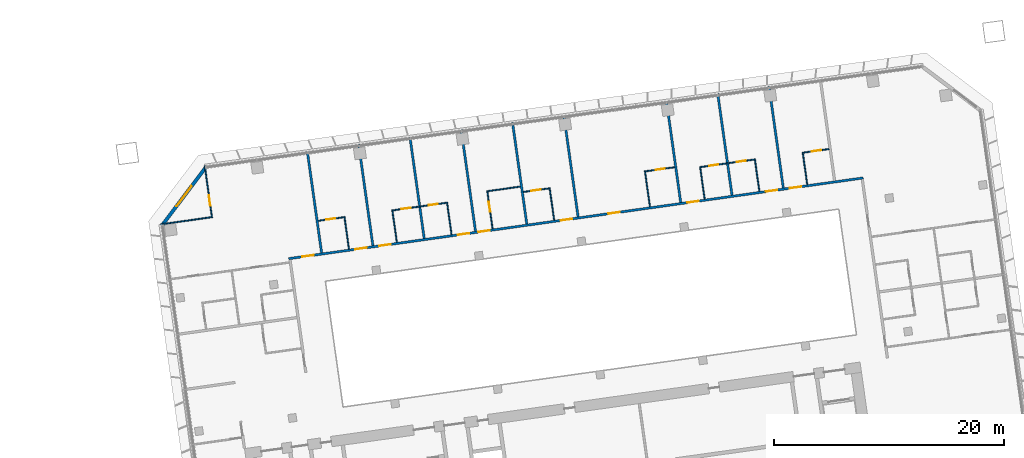
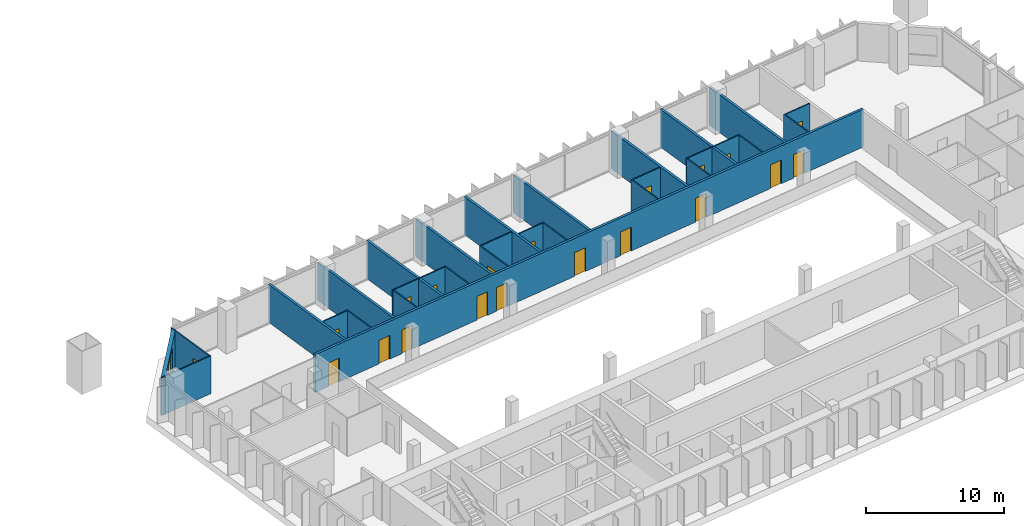
# One storey, part 20 of 24: 29 walls, 20 doors, 1 window, 21 openings.
"""IFC4 building model written with IfcOpenShell, lengths in metres."""

from ifc_helpers import new_model, si_unit, direction, frame, frame_2d, origin, place, context, subcontext, project, spatial, rectangle, extrude, material, layer, layer_set, type_object, element, fill, save


model = new_model("IFC4")

# Units and contexts
model_context = context("Model", 3, precision=1e-05, world=origin(), true_north=direction((0.0, 1.0)))
body_context = subcontext(model_context, "Body", "Model", "MODEL_VIEW")
ifc_project = project(units=[si_unit("LENGTHUNIT", "METRE"), si_unit("AREAUNIT", "SQUARE_METRE"), si_unit("VOLUMEUNIT", "CUBIC_METRE"), si_unit("PLANEANGLEUNIT", "RADIAN"), si_unit("MASSUNIT", "GRAM", prefix="KILO")], contexts=[model_context])

# Site, building, storey
site_placement = place(None, origin())
site = spatial("IfcSite", under=ifc_project, at=site_placement, CompositionType="ELEMENT")
building_placement = place(site_placement, origin())
building = spatial("IfcBuilding", under=site, at=building_placement, Name="Mirante Cascada Hotel Towers", CompositionType="ELEMENT")
storey_placement = place(building_placement, frame((0.0, 0.0, 47.1)))
storey = spatial("IfcBuildingStorey", under=building, at=storey_placement, Name="L08", CompositionType="ELEMENT", Elevation=47.1)

# Wall, openings, doors
ifc_material_1 = material(Name="Fire-rated plasterboard on metal studs")
ifc_layer_1 = layer(ifc_material_1, 0.2)
ifc_layer_set_1 = layer_set([ifc_layer_1], Name="Compartment wall 200 EI 120")
wall_type_1 = type_object("IfcWallType", Name="Compartment wall 200 EI 120", PredefinedType="PARTITIONING", material=ifc_layer_set_1)
wall_1_placement = place(storey_placement, frame((89.0146, 16.3922, 0.0), z_axis=(0.0, 0.0, 1.0), x_axis=(-0.9902681, -0.1391727, 0.0)))
wall_1 = element("IfcWall", 1, at=wall_1_placement, inside=storey, type_object=wall_type_1, Name="Wall 2-L08-18", PredefinedType="PARTITIONING", context=body_context, shape_type="SweptSolid", body=[
    extrude(rectangle(XDim=50.4, YDim=0.2, at=frame_2d((25.2, 0.0))), origin(), (0.0, 0.0, 1.0), 3.35),
])
opening_1_placement = place(wall_1_placement, frame((48.2, 0.0, 0.0)))
opening_1 = element("IfcOpeningElement", 2, at=opening_1_placement, cuts=wall_1, Name="Opening D2-L08-09", PredefinedType="OPENING", context=body_context, shape_type="SweptSolid", body=[
    extrude(rectangle(XDim=1.0, YDim=2.1, at=frame_2d((0.5, 1.05))), frame((0.0, 0.1, 0.0), z_axis=(0.0, -1.0, 0.0), x_axis=(1.0, 0.0, 0.0)), (0.0, 0.0, 1.0), 0.2),
])
opening_2_placement = place(wall_1_placement, frame((43.55, 0.0, 0.0)))
opening_2 = element("IfcOpeningElement", 3, at=opening_2_placement, cuts=wall_1, Name="Opening D2-L08-10", PredefinedType="OPENING", context=body_context, shape_type="SweptSolid", body=[
    extrude(rectangle(XDim=1.0, YDim=2.1, at=frame_2d((0.5, 1.05))), frame((0.0, 0.1, 0.0), z_axis=(0.0, -1.0, 0.0), x_axis=(1.0, 0.0, 0.0)), (0.0, 0.0, 1.0), 0.2),
])
opening_3_placement = place(wall_1_placement, frame((41.45, 0.0, 0.0)))
opening_3 = element("IfcOpeningElement", 4, at=opening_3_placement, cuts=wall_1, Name="Opening D2-L08-11", PredefinedType="OPENING", context=body_context, shape_type="SweptSolid", body=[
    extrude(rectangle(XDim=1.0, YDim=2.1, at=frame_2d((0.5, 1.05))), frame((0.0, 0.1, 0.0), z_axis=(0.0, -1.0, 0.0), x_axis=(1.0, 0.0, 0.0)), (0.0, 0.0, 1.0), 0.2),
])
opening_4_placement = place(wall_1_placement, frame((34.55, 0.0, 0.0)))
opening_4 = element("IfcOpeningElement", 5, at=opening_4_placement, cuts=wall_1, Name="Opening D2-L08-12", PredefinedType="OPENING", context=body_context, shape_type="SweptSolid", body=[
    extrude(rectangle(XDim=1.0, YDim=2.1, at=frame_2d((0.5, 1.05))), frame((0.0, 0.1, 0.0), z_axis=(0.0, -1.0, 0.0), x_axis=(1.0, 0.0, 0.0)), (0.0, 0.0, 1.0), 0.2),
])
opening_5_placement = place(wall_1_placement, frame((32.75, 0.0, 0.0)))
opening_5 = element("IfcOpeningElement", 6, at=opening_5_placement, cuts=wall_1, Name="Opening D2-L08-13", PredefinedType="OPENING", context=body_context, shape_type="SweptSolid", body=[
    extrude(rectangle(XDim=1.0, YDim=2.1, at=frame_2d((0.5, 1.05))), frame((0.0, 0.1, 0.0), z_axis=(0.0, -1.0, 0.0), x_axis=(1.0, 0.0, 0.0)), (0.0, 0.0, 1.0), 0.2),
])
opening_6_placement = place(wall_1_placement, frame((25.55, 0.0, 0.0)))
opening_6 = element("IfcOpeningElement", 7, at=opening_6_placement, cuts=wall_1, Name="Opening D2-L08-14", PredefinedType="OPENING", context=body_context, shape_type="SweptSolid", body=[
    extrude(rectangle(XDim=1.0, YDim=2.1, at=frame_2d((0.5, 1.05))), frame((0.0, 0.1, 0.0), z_axis=(0.0, -1.0, 0.0), x_axis=(1.0, 0.0, 0.0)), (0.0, 0.0, 1.0), 0.2),
])
opening_7_placement = place(wall_1_placement, frame((21.35, 0.0, 0.0)))
opening_7 = element("IfcOpeningElement", 8, at=opening_7_placement, cuts=wall_1, Name="Opening D2-L08-15", PredefinedType="OPENING", context=body_context, shape_type="SweptSolid", body=[
    extrude(rectangle(XDim=1.0, YDim=2.1, at=frame_2d((0.5, 1.05))), frame((0.0, 0.1, 0.0), z_axis=(0.0, -1.0, 0.0), x_axis=(1.0, 0.0, 0.0)), (0.0, 0.0, 1.0), 0.2),
])
opening_8_placement = place(wall_1_placement, frame((14.45, 0.0, 0.0)))
opening_8 = element("IfcOpeningElement", 9, at=opening_8_placement, cuts=wall_1, Name="Opening D2-L08-16", PredefinedType="OPENING", context=body_context, shape_type="SweptSolid", body=[
    extrude(rectangle(XDim=1.0, YDim=2.1, at=frame_2d((0.5, 1.05))), frame((0.0, 0.1, 0.0), z_axis=(0.0, -1.0, 0.0), x_axis=(1.0, 0.0, 0.0)), (0.0, 0.0, 1.0), 0.2),
])
opening_9_placement = place(wall_1_placement, frame((7.55, 0.0, 0.0)))
opening_9 = element("IfcOpeningElement", 10, at=opening_9_placement, cuts=wall_1, Name="Opening D2-L08-17", PredefinedType="OPENING", context=body_context, shape_type="SweptSolid", body=[
    extrude(rectangle(XDim=1.0, YDim=2.1, at=frame_2d((0.5, 1.05))), frame((0.0, 0.1, 0.0), z_axis=(0.0, -1.0, 0.0), x_axis=(1.0, 0.0, 0.0)), (0.0, 0.0, 1.0), 0.2),
])
opening_10_placement = place(wall_1_placement, frame((5.45, 0.0, 0.0)))
opening_10 = element("IfcOpeningElement", 11, at=opening_10_placement, cuts=wall_1, Name="Opening D2-L08-18", PredefinedType="OPENING", context=body_context, shape_type="SweptSolid", body=[
    extrude(rectangle(XDim=1.0, YDim=2.1, at=frame_2d((0.5, 1.05))), frame((0.0, 0.1, 0.0), z_axis=(0.0, -1.0, 0.0), x_axis=(1.0, 0.0, 0.0)), (0.0, 0.0, 1.0), 0.2),
])
ifc_material_2 = material(Name="Fire-rated timber door leaf", Category="wood")
door_type_1 = type_object("IfcDoorType", Name="Entrance door DG1 1000x2100 EI 60", OperationType="SINGLE_SWING_LEFT", PredefinedType="DOOR", material=ifc_material_2)
door_1_placement = place(opening_1_placement, frame((1.0, 0.0, 0.0), z_axis=(0.0, 0.0, 1.0), x_axis=(-1.0, 0.0, 0.0)))
door_1 = element("IfcDoor", 12, at=door_1_placement, inside=storey, type_object=door_type_1, Name="Door D2-L08-09", OperationType="SINGLE_SWING_RIGHT", OverallHeight=2.1, OverallWidth=1.0, PredefinedType="DOOR", context=body_context, shape_type="SweptSolid", body=[
    extrude(rectangle(XDim=1.0, YDim=2.1, at=frame_2d((0.5, 1.05))), frame((0.0, 0.025, 0.0), z_axis=(0.0, -1.0, 0.0), x_axis=(1.0, 0.0, 0.0)), (0.0, 0.0, 1.0), 0.05),
])
fill(opening_1, door_1)
door_2_placement = place(opening_2_placement, frame((1.0, 0.0, 0.0), z_axis=(0.0, 0.0, 1.0), x_axis=(-1.0, 0.0, 0.0)))
door_2 = element("IfcDoor", 13, at=door_2_placement, inside=storey, type_object=door_type_1, Name="Door D2-L08-10", OperationType="SINGLE_SWING_RIGHT", OverallHeight=2.1, OverallWidth=1.0, PredefinedType="DOOR", context=body_context, shape_type="SweptSolid", body=[
    extrude(rectangle(XDim=1.0, YDim=2.1, at=frame_2d((0.5, 1.05))), frame((0.0, 0.025, 0.0), z_axis=(0.0, -1.0, 0.0), x_axis=(1.0, 0.0, 0.0)), (0.0, 0.0, 1.0), 0.05),
])
fill(opening_2, door_2)
door_3_placement = place(opening_3_placement, frame((1.0, 0.0, 0.0), z_axis=(0.0, 0.0, 1.0), x_axis=(-1.0, 0.0, 0.0)))
door_3 = element("IfcDoor", 14, at=door_3_placement, inside=storey, type_object=door_type_1, Name="Door D2-L08-11", OperationType="SINGLE_SWING_RIGHT", OverallHeight=2.1, OverallWidth=1.0, PredefinedType="DOOR", context=body_context, shape_type="SweptSolid", body=[
    extrude(rectangle(XDim=1.0, YDim=2.1, at=frame_2d((0.5, 1.05))), frame((0.0, 0.025, 0.0), z_axis=(0.0, -1.0, 0.0), x_axis=(1.0, 0.0, 0.0)), (0.0, 0.0, 1.0), 0.05),
])
fill(opening_3, door_3)
door_4_placement = place(opening_4_placement, frame((1.0, 0.0, 0.0), z_axis=(0.0, 0.0, 1.0), x_axis=(-1.0, 0.0, 0.0)))
door_4 = element("IfcDoor", 15, at=door_4_placement, inside=storey, type_object=door_type_1, Name="Door D2-L08-12", OperationType="SINGLE_SWING_RIGHT", OverallHeight=2.1, OverallWidth=1.0, PredefinedType="DOOR", context=body_context, shape_type="SweptSolid", body=[
    extrude(rectangle(XDim=1.0, YDim=2.1, at=frame_2d((0.5, 1.05))), frame((0.0, 0.025, 0.0), z_axis=(0.0, -1.0, 0.0), x_axis=(1.0, 0.0, 0.0)), (0.0, 0.0, 1.0), 0.05),
])
fill(opening_4, door_4)
door_5_placement = place(opening_5_placement, frame((1.0, 0.0, 0.0), z_axis=(0.0, 0.0, 1.0), x_axis=(-1.0, 0.0, 0.0)))
door_5 = element("IfcDoor", 16, at=door_5_placement, inside=storey, type_object=door_type_1, Name="Door D2-L08-13", OperationType="SINGLE_SWING_RIGHT", OverallHeight=2.1, OverallWidth=1.0, PredefinedType="DOOR", context=body_context, shape_type="SweptSolid", body=[
    extrude(rectangle(XDim=1.0, YDim=2.1, at=frame_2d((0.5, 1.05))), frame((0.0, 0.025, 0.0), z_axis=(0.0, -1.0, 0.0), x_axis=(1.0, 0.0, 0.0)), (0.0, 0.0, 1.0), 0.05),
])
fill(opening_5, door_5)
door_6_placement = place(opening_6_placement, frame((1.0, 0.0, 0.0), z_axis=(0.0, 0.0, 1.0), x_axis=(-1.0, 0.0, 0.0)))
door_6 = element("IfcDoor", 17, at=door_6_placement, inside=storey, type_object=door_type_1, Name="Door D2-L08-14", OperationType="SINGLE_SWING_RIGHT", OverallHeight=2.1, OverallWidth=1.0, PredefinedType="DOOR", context=body_context, shape_type="SweptSolid", body=[
    extrude(rectangle(XDim=1.0, YDim=2.1, at=frame_2d((0.5, 1.05))), frame((0.0, 0.025, 0.0), z_axis=(0.0, -1.0, 0.0), x_axis=(1.0, 0.0, 0.0)), (0.0, 0.0, 1.0), 0.05),
])
fill(opening_6, door_6)
door_7_placement = place(opening_7_placement, frame((1.0, 0.0, 0.0), z_axis=(0.0, 0.0, 1.0), x_axis=(-1.0, 0.0, 0.0)))
door_7 = element("IfcDoor", 18, at=door_7_placement, inside=storey, type_object=door_type_1, Name="Door D2-L08-15", OperationType="SINGLE_SWING_RIGHT", OverallHeight=2.1, OverallWidth=1.0, PredefinedType="DOOR", context=body_context, shape_type="SweptSolid", body=[
    extrude(rectangle(XDim=1.0, YDim=2.1, at=frame_2d((0.5, 1.05))), frame((0.0, 0.025, 0.0), z_axis=(0.0, -1.0, 0.0), x_axis=(1.0, 0.0, 0.0)), (0.0, 0.0, 1.0), 0.05),
])
fill(opening_7, door_7)
door_8_placement = place(opening_8_placement, frame((1.0, 0.0, 0.0), z_axis=(0.0, 0.0, 1.0), x_axis=(-1.0, 0.0, 0.0)))
door_8 = element("IfcDoor", 19, at=door_8_placement, inside=storey, type_object=door_type_1, Name="Door D2-L08-16", OperationType="SINGLE_SWING_RIGHT", OverallHeight=2.1, OverallWidth=1.0, PredefinedType="DOOR", context=body_context, shape_type="SweptSolid", body=[
    extrude(rectangle(XDim=1.0, YDim=2.1, at=frame_2d((0.5, 1.05))), frame((0.0, 0.025, 0.0), z_axis=(0.0, -1.0, 0.0), x_axis=(1.0, 0.0, 0.0)), (0.0, 0.0, 1.0), 0.05),
])
fill(opening_8, door_8)
door_9_placement = place(opening_9_placement, frame((1.0, 0.0, 0.0), z_axis=(0.0, 0.0, 1.0), x_axis=(-1.0, 0.0, 0.0)))
door_9 = element("IfcDoor", 20, at=door_9_placement, inside=storey, type_object=door_type_1, Name="Door D2-L08-17", OperationType="SINGLE_SWING_RIGHT", OverallHeight=2.1, OverallWidth=1.0, PredefinedType="DOOR", context=body_context, shape_type="SweptSolid", body=[
    extrude(rectangle(XDim=1.0, YDim=2.1, at=frame_2d((0.5, 1.05))), frame((0.0, 0.025, 0.0), z_axis=(0.0, -1.0, 0.0), x_axis=(1.0, 0.0, 0.0)), (0.0, 0.0, 1.0), 0.05),
])
fill(opening_9, door_9)
door_10_placement = place(opening_10_placement, frame((1.0, 0.0, 0.0), z_axis=(0.0, 0.0, 1.0), x_axis=(-1.0, 0.0, 0.0)))
door_10 = element("IfcDoor", 21, at=door_10_placement, inside=storey, type_object=door_type_1, Name="Door D2-L08-18", OperationType="SINGLE_SWING_RIGHT", OverallHeight=2.1, OverallWidth=1.0, PredefinedType="DOOR", context=body_context, shape_type="SweptSolid", body=[
    extrude(rectangle(XDim=1.0, YDim=2.1, at=frame_2d((0.5, 1.05))), frame((0.0, 0.025, 0.0), z_axis=(0.0, -1.0, 0.0), x_axis=(1.0, 0.0, 0.0)), (0.0, 0.0, 1.0), 0.05),
])
fill(opening_10, door_10)

# Walls
for number, where, z_axis, x_axis, name in (
    (22, (41.963, 9.8805, 0.0), (0.0, 0.0, 1.0), (-0.1391794, 0.9902672, 0.0), "Wall 2-L08-35"),
    (23, (46.4192, 10.5068, 0.0), (0.0, 0.0, 1.0), (-0.1391794, 0.9902672, 0.0), "Wall 2-L08-37"),
    (24, (50.8754, 11.1331, 0.0), (0.0, 0.0, 1.0), (-0.1391794, 0.9902672, 0.0), "Wall 2-L08-39"),
    (25, (55.3316, 11.7594, 0.0), (0.0, 0.0, 1.0), (-0.1391794, 0.9902672, 0.0), "Wall 2-L08-41"),
):
    element("IfcWall", number, at=place(storey_placement, frame(where, z_axis=z_axis, x_axis=x_axis)), inside=storey, type_object=wall_type_1, Name=name, PredefinedType="PARTITIONING", context=body_context, shape_type="SweptSolid", body=[
        extrude(rectangle(XDim=8.9, YDim=0.2, at=frame_2d((4.45, 0.0))), origin(), (0.0, 0.0, 1.0), 3.35),
    ])
wall_2_placement = place(storey_placement, frame((59.7878, 12.3857, 0.0), z_axis=(0.0, 0.0, 1.0), x_axis=(-0.13917, 0.9902685, 0.0)))
element("IfcWall", 26, at=wall_2_placement, inside=storey, type_object=wall_type_1, Name="Wall 2-L08-43", PredefinedType="PARTITIONING", context=body_context, shape_type="SweptSolid", body=[
    extrude(rectangle(XDim=8.8999, YDim=0.2, at=frame_2d((4.45, 0.0))), origin(), (0.0, 0.0, 1.0), 3.35),
])
for number, where, z_axis, x_axis, name in (
    (27, (64.244, 13.0119, 0.0), (0.0, 0.0, 1.0), (-0.1391684, 0.9902687, 0.0), "Wall 2-L08-45"),
    (28, (73.1564, 14.2645, 0.0), (0.0, 0.0, 1.0), (-0.1391684, 0.9902687, 0.0), "Wall 2-L08-47"),
    (29, (77.6126, 14.8908, 0.0), (0.0, 0.0, 1.0), (-0.1391684, 0.9902687, 0.0), "Wall 2-L08-49"),
):
    element("IfcWall", number, at=place(storey_placement, frame(where, z_axis=z_axis, x_axis=x_axis)), inside=storey, type_object=wall_type_1, Name=name, PredefinedType="PARTITIONING", context=body_context, shape_type="SweptSolid", body=[
        extrude(rectangle(XDim=8.9, YDim=0.2, at=frame_2d((4.45, 0.0))), origin(), (0.0, 0.0, 1.0), 3.35),
    ])
wall_3_placement = place(storey_placement, frame((82.0688, 15.5171, 0.0), z_axis=(0.0, 0.0, 1.0), x_axis=(-0.13917, 0.9902685, 0.0)))
element("IfcWall", 30, at=wall_3_placement, inside=storey, type_object=wall_type_1, Name="Wall 2-L08-51", PredefinedType="PARTITIONING", context=body_context, shape_type="SweptSolid", body=[
    extrude(rectangle(XDim=8.8999, YDim=0.2, at=frame_2d((4.45, 0.0))), origin(), (0.0, 0.0, 1.0), 3.35),
])

# Wall, opening, door
ifc_material_3 = material(Name="Plasterboard on metal studs")
ifc_layer_2 = layer(ifc_material_3, 0.1)
ifc_layer_set_2 = layer_set([ifc_layer_2], Name="Partition 100")
wall_type_2 = type_object("IfcWallType", Name="Partition 100", PredefinedType="PARTITIONING", material=ifc_layer_set_2)
wall_4_placement = place(storey_placement, frame((41.6723, 12.6672, 0.0), z_axis=(0.0, 0.0, 1.0), x_axis=(0.9902643, 0.1391997, 0.0)))
wall_4 = element("IfcWall", 31, at=wall_4_placement, inside=storey, type_object=wall_type_2, Name="Wall 2-L08-19", PredefinedType="PARTITIONING", context=body_context, shape_type="SweptSolid", body=[
    extrude(rectangle(XDim=2.25, YDim=0.1, at=frame_2d((1.125, 0.0))), origin(), (0.0, 0.0, 1.0), 3.35),
])
opening_11_placement = place(wall_4_placement, frame((0.7, 0.0, 0.0)))
opening_11 = element("IfcOpeningElement", 32, at=opening_11_placement, cuts=wall_4, Name="Opening D2-L08-19", PredefinedType="OPENING", context=body_context, shape_type="SweptSolid", body=[
    extrude(rectangle(XDim=0.8, YDim=2.1, at=frame_2d((0.4, 1.05))), frame((0.0, 0.05, 0.0), z_axis=(0.0, -1.0, 0.0), x_axis=(1.0, 0.0, 0.0)), (0.0, 0.0, 1.0), 0.1),
])
ifc_material_4 = material(Name="Timber door leaf", Category="wood")
door_type_2 = type_object("IfcDoorType", Name="Bathroom door DG4 800x2100", OperationType="SINGLE_SWING_LEFT", PredefinedType="DOOR", material=ifc_material_4)
door_11_placement = place(opening_11_placement, origin())
door_11 = element("IfcDoor", 33, at=door_11_placement, inside=storey, type_object=door_type_2, Name="Door D2-L08-19", OperationType="SINGLE_SWING_LEFT", OverallHeight=2.1, OverallWidth=0.8, PredefinedType="DOOR", context=body_context, shape_type="SweptSolid", body=[
    extrude(rectangle(XDim=0.8, YDim=2.1, at=frame_2d((0.4, 1.05))), frame((0.0, 0.025, 0.0), z_axis=(0.0, -1.0, 0.0), x_axis=(1.0, 0.0, 0.0)), (0.0, 0.0, 1.0), 0.05),
])
fill(opening_11, door_11)

# Wall, openings, doors
wall_5_placement = place(storey_placement, frame((52.9119, 14.2468, 0.0), z_axis=(0.0, 0.0, 1.0), x_axis=(-0.9902698, -0.139161, 0.0)))
wall_5 = element("IfcWall", 34, at=wall_5_placement, inside=storey, type_object=wall_type_2, Name="Wall 2-L08-20", PredefinedType="PARTITIONING", context=body_context, shape_type="SweptSolid", body=[
    extrude(rectangle(XDim=4.9001, YDim=0.1, at=frame_2d((2.45, 0.0))), origin(), (0.0, 0.0, 1.0), 3.35),
])
opening_12_placement = place(wall_5_placement, frame((3.25, 0.0, 0.0)))
opening_12 = element("IfcOpeningElement", 35, at=opening_12_placement, cuts=wall_5, Name="Opening D2-L08-20", PredefinedType="OPENING", context=body_context, shape_type="SweptSolid", body=[
    extrude(rectangle(XDim=0.8, YDim=2.1, at=frame_2d((0.4, 1.05))), frame((0.0, 0.05, 0.0), z_axis=(0.0, -1.0, 0.0), x_axis=(1.0, 0.0, 0.0)), (0.0, 0.0, 1.0), 0.1),
])
opening_13_placement = place(wall_5_placement, frame((0.85, 0.0, 0.0)))
opening_13 = element("IfcOpeningElement", 36, at=opening_13_placement, cuts=wall_5, Name="Opening D2-L08-21", PredefinedType="OPENING", context=body_context, shape_type="SweptSolid", body=[
    extrude(rectangle(XDim=0.8, YDim=2.1, at=frame_2d((0.4, 1.05))), frame((0.0, 0.05, 0.0), z_axis=(0.0, -1.0, 0.0), x_axis=(1.0, 0.0, 0.0)), (0.0, 0.0, 1.0), 0.1),
])
door_12_placement = place(opening_12_placement, frame((0.8, 0.0, 0.0), z_axis=(0.0, 0.0, 1.0), x_axis=(-1.0, 0.0, 0.0)))
door_12 = element("IfcDoor", 37, at=door_12_placement, inside=storey, type_object=door_type_2, Name="Door D2-L08-20", OperationType="SINGLE_SWING_RIGHT", OverallHeight=2.1, OverallWidth=0.8, PredefinedType="DOOR", context=body_context, shape_type="SweptSolid", body=[
    extrude(rectangle(XDim=0.8, YDim=2.1, at=frame_2d((0.4, 1.05))), frame((0.0, 0.025, 0.0), z_axis=(0.0, -1.0, 0.0), x_axis=(1.0, 0.0, 0.0)), (0.0, 0.0, 1.0), 0.05),
])
fill(opening_12, door_12)
door_13_placement = place(opening_13_placement, frame((0.8, 0.0, 0.0), z_axis=(0.0, 0.0, 1.0), x_axis=(-1.0, 0.0, 0.0)))
door_13 = element("IfcDoor", 38, at=door_13_placement, inside=storey, type_object=door_type_2, Name="Door D2-L08-21", OperationType="SINGLE_SWING_RIGHT", OverallHeight=2.1, OverallWidth=0.8, PredefinedType="DOOR", context=body_context, shape_type="SweptSolid", body=[
    extrude(rectangle(XDim=0.8, YDim=2.1, at=frame_2d((0.4, 1.05))), frame((0.0, 0.025, 0.0), z_axis=(0.0, -1.0, 0.0), x_axis=(1.0, 0.0, 0.0)), (0.0, 0.0, 1.0), 0.05),
])
fill(opening_13, door_13)

# Wall, opening, door
wall_6_placement = place(storey_placement, frame((59.4971, 15.1723, 0.0), z_axis=(0.0, 0.0, 1.0), x_axis=(0.9902643, 0.1391997, 0.0)))
wall_6 = element("IfcWall", 39, at=wall_6_placement, inside=storey, type_object=wall_type_2, Name="Wall 2-L08-21", PredefinedType="PARTITIONING", context=body_context, shape_type="SweptSolid", body=[
    extrude(rectangle(XDim=2.25, YDim=0.1, at=frame_2d((1.125, 0.0))), origin(), (0.0, 0.0, 1.0), 3.35),
])
opening_14_placement = place(wall_6_placement, frame((0.7, 0.0, 0.0)))
opening_14 = element("IfcOpeningElement", 40, at=opening_14_placement, cuts=wall_6, Name="Opening D2-L08-22", PredefinedType="OPENING", context=body_context, shape_type="SweptSolid", body=[
    extrude(rectangle(XDim=0.8, YDim=2.1, at=frame_2d((0.4, 1.05))), frame((0.0, 0.05, 0.0), z_axis=(0.0, -1.0, 0.0), x_axis=(1.0, 0.0, 0.0)), (0.0, 0.0, 1.0), 0.1),
])
door_14_placement = place(opening_14_placement, origin())
door_14 = element("IfcDoor", 41, at=door_14_placement, inside=storey, type_object=door_type_2, Name="Door D2-L08-22", OperationType="SINGLE_SWING_LEFT", OverallHeight=2.1, OverallWidth=0.8, PredefinedType="DOOR", context=body_context, shape_type="SweptSolid", body=[
    extrude(rectangle(XDim=0.8, YDim=2.1, at=frame_2d((0.4, 1.05))), frame((0.0, 0.025, 0.0), z_axis=(0.0, -1.0, 0.0), x_axis=(1.0, 0.0, 0.0)), (0.0, 0.0, 1.0), 0.05),
])
fill(opening_14, door_14)

# Wall, openings, doors
wall_7_placement = place(storey_placement, frame((79.6491, 18.0045, 0.0), z_axis=(0.0, 0.0, 1.0), x_axis=(-0.9902694, -0.1391638, 0.0)))
wall_7 = element("IfcWall", 42, at=wall_7_placement, inside=storey, type_object=wall_type_2, Name="Wall 2-L08-22", PredefinedType="PARTITIONING", context=body_context, shape_type="SweptSolid", body=[
    extrude(rectangle(XDim=4.9, YDim=0.1, at=frame_2d((2.45, 0.0))), origin(), (0.0, 0.0, 1.0), 3.35),
])
opening_15_placement = place(wall_7_placement, frame((3.25, 0.0, 0.0)))
opening_15 = element("IfcOpeningElement", 43, at=opening_15_placement, cuts=wall_7, Name="Opening D2-L08-23", PredefinedType="OPENING", context=body_context, shape_type="SweptSolid", body=[
    extrude(rectangle(XDim=0.8, YDim=2.1, at=frame_2d((0.4, 1.05))), frame((0.0, 0.05, 0.0), z_axis=(0.0, -1.0, 0.0), x_axis=(1.0, 0.0, 0.0)), (0.0, 0.0, 1.0), 0.1),
])
opening_16_placement = place(wall_7_placement, frame((0.85, 0.0, 0.0)))
opening_16 = element("IfcOpeningElement", 44, at=opening_16_placement, cuts=wall_7, Name="Opening D2-L08-24", PredefinedType="OPENING", context=body_context, shape_type="SweptSolid", body=[
    extrude(rectangle(XDim=0.8, YDim=2.1, at=frame_2d((0.4, 1.05))), frame((0.0, 0.05, 0.0), z_axis=(0.0, -1.0, 0.0), x_axis=(1.0, 0.0, 0.0)), (0.0, 0.0, 1.0), 0.1),
])
door_15_placement = place(opening_15_placement, frame((0.8, 0.0, 0.0), z_axis=(0.0, 0.0, 1.0), x_axis=(-1.0, 0.0, 0.0)))
door_15 = element("IfcDoor", 45, at=door_15_placement, inside=storey, type_object=door_type_2, Name="Door D2-L08-23", OperationType="SINGLE_SWING_RIGHT", OverallHeight=2.1, OverallWidth=0.8, PredefinedType="DOOR", context=body_context, shape_type="SweptSolid", body=[
    extrude(rectangle(XDim=0.8, YDim=2.1, at=frame_2d((0.4, 1.05))), frame((0.0, 0.025, 0.0), z_axis=(0.0, -1.0, 0.0), x_axis=(1.0, 0.0, 0.0)), (0.0, 0.0, 1.0), 0.05),
])
fill(opening_15, door_15)
door_16_placement = place(opening_16_placement, frame((0.8, 0.0, 0.0), z_axis=(0.0, 0.0, 1.0), x_axis=(-1.0, 0.0, 0.0)))
door_16 = element("IfcDoor", 46, at=door_16_placement, inside=storey, type_object=door_type_2, Name="Door D2-L08-24", OperationType="SINGLE_SWING_RIGHT", OverallHeight=2.1, OverallWidth=0.8, PredefinedType="DOOR", context=body_context, shape_type="SweptSolid", body=[
    extrude(rectangle(XDim=0.8, YDim=2.1, at=frame_2d((0.4, 1.05))), frame((0.0, 0.025, 0.0), z_axis=(0.0, -1.0, 0.0), x_axis=(1.0, 0.0, 0.0)), (0.0, 0.0, 1.0), 0.05),
])
fill(opening_16, door_16)

# Wall, opening, door
wall_8_placement = place(storey_placement, frame((83.8082, 18.589, 0.0), z_axis=(0.0, 0.0, 1.0), x_axis=(0.9902643, 0.1391997, 0.0)))
wall_8 = element("IfcWall", 47, at=wall_8_placement, inside=storey, type_object=wall_type_2, Name="Wall 2-L08-23", PredefinedType="PARTITIONING", context=body_context, shape_type="SweptSolid", body=[
    extrude(rectangle(XDim=2.25, YDim=0.1, at=frame_2d((1.125, 0.0))), origin(), (0.0, 0.0, 1.0), 3.35),
])
opening_17_placement = place(wall_8_placement, frame((0.75, 0.0, 0.0)))
opening_17 = element("IfcOpeningElement", 48, at=opening_17_placement, cuts=wall_8, Name="Opening D2-L08-25", PredefinedType="OPENING", context=body_context, shape_type="SweptSolid", body=[
    extrude(rectangle(XDim=0.8, YDim=2.1, at=frame_2d((0.4, 1.05))), frame((0.0, 0.05, 0.0), z_axis=(0.0, -1.0, 0.0), x_axis=(1.0, 0.0, 0.0)), (0.0, 0.0, 1.0), 0.1),
])
door_17_placement = place(opening_17_placement, origin())
door_17 = element("IfcDoor", 49, at=door_17_placement, inside=storey, type_object=door_type_2, Name="Door D2-L08-25", OperationType="SINGLE_SWING_LEFT", OverallHeight=2.1, OverallWidth=0.8, PredefinedType="DOOR", context=body_context, shape_type="SweptSolid", body=[
    extrude(rectangle(XDim=0.8, YDim=2.1, at=frame_2d((0.4, 1.05))), frame((0.0, 0.025, 0.0), z_axis=(0.0, -1.0, 0.0), x_axis=(1.0, 0.0, 0.0)), (0.0, 0.0, 1.0), 0.05),
])
fill(opening_17, door_17)

wall_9_placement = place(storey_placement, frame((72.626, 17.3204, 0.0), z_axis=(0.0, 0.0, 1.0), x_axis=(-0.9902677, -0.1391755, 0.0)))
wall_9 = element("IfcWall", 50, at=wall_9_placement, inside=storey, type_object=wall_type_2, Name="Wall 2-L08-24", PredefinedType="PARTITIONING", context=body_context, shape_type="SweptSolid", body=[
    extrude(rectangle(XDim=2.55, YDim=0.1, at=frame_2d((1.275, 0.0))), origin(), (0.0, 0.0, 1.0), 3.35),
])
opening_18_placement = place(wall_9_placement, frame((0.85, 0.0, 0.0)))
opening_18 = element("IfcOpeningElement", 51, at=opening_18_placement, cuts=wall_9, Name="Opening D2-L08-26", PredefinedType="OPENING", context=body_context, shape_type="SweptSolid", body=[
    extrude(rectangle(XDim=0.8, YDim=2.1, at=frame_2d((0.4, 1.05))), frame((0.0, 0.05, 0.0), z_axis=(0.0, -1.0, 0.0), x_axis=(1.0, 0.0, 0.0)), (0.0, 0.0, 1.0), 0.1),
])
door_18_placement = place(opening_18_placement, frame((0.8, 0.0, 0.0), z_axis=(0.0, 0.0, 1.0), x_axis=(-1.0, 0.0, 0.0)))
door_18 = element("IfcDoor", 52, at=door_18_placement, inside=storey, type_object=door_type_2, Name="Door D2-L08-26", OperationType="SINGLE_SWING_RIGHT", OverallHeight=2.1, OverallWidth=0.8, PredefinedType="DOOR", context=body_context, shape_type="SweptSolid", body=[
    extrude(rectangle(XDim=0.8, YDim=2.1, at=frame_2d((0.4, 1.05))), frame((0.0, 0.025, 0.0), z_axis=(0.0, -1.0, 0.0), x_axis=(1.0, 0.0, 0.0)), (0.0, 0.0, 1.0), 0.05),
])
fill(opening_18, door_18)

# Walls
wall_10_placement = place(storey_placement, frame((56.4072, 15.243, 0.0), z_axis=(0.0, 0.0, 1.0), x_axis=(0.9902704, 0.1391564, 0.0)))
element("IfcWall", 53, at=wall_10_placement, inside=storey, type_object=wall_type_2, Name="Wall 2-L08-25", PredefinedType="PARTITIONING", context=body_context, shape_type="SweptSolid", body=[
    extrude(rectangle(XDim=2.85, YDim=0.1, at=frame_2d((1.425, 0.0))), origin(), (0.0, 0.0, 1.0), 3.35),
])
wall_11_placement = place(storey_placement, frame((32.4877, 12.9921, 0.0), z_axis=(0.0, 0.0, 1.0), x_axis=(-0.9902691, -0.1391656, 0.0)))
element("IfcWall", 54, at=wall_11_placement, inside=storey, type_object=wall_type_2, Name="Wall 2-L08-26", PredefinedType="PARTITIONING", context=body_context, shape_type="SweptSolid", body=[
    extrude(rectangle(XDim=4.55, YDim=0.1, at=frame_2d((2.275, 0.0))), origin(), (0.0, 0.0, 1.0), 3.35),
])

# Wall, opening, door
wall_12_placement = place(storey_placement, frame((31.8119, 17.4414, 0.0), z_axis=(0.0, 0.0, 1.0), x_axis=(0.1391684, -0.9902687, 0.0)))
wall_12 = element("IfcWall", 55, at=wall_12_placement, inside=storey, type_object=wall_type_2, Name="Wall 2-L08-30", PredefinedType="PARTITIONING", context=body_context, shape_type="SweptSolid", body=[
    extrude(rectangle(XDim=4.45, YDim=0.1, at=frame_2d((2.225, 0.0))), origin(), (0.0, 0.0, 1.0), 3.35),
])
opening_19_placement = place(wall_12_placement, frame((2.5833, 0.0, 0.0)))
opening_19 = element("IfcOpeningElement", 56, at=opening_19_placement, cuts=wall_12, Name="Opening D2-L08-30", PredefinedType="OPENING", context=body_context, shape_type="SweptSolid", body=[
    extrude(rectangle(XDim=0.9, YDim=2.1, at=frame_2d((0.45, 1.05))), frame((0.0, 0.05, 0.0), z_axis=(0.0, -1.0, 0.0), x_axis=(1.0, 0.0, 0.0)), (0.0, 0.0, 1.0), 0.1),
])
ifc_material_5 = material(Name="Timber door leaf", Category="wood")
door_type_3 = type_object("IfcDoorType", Name="Room door DG3 900x2100", OperationType="SINGLE_SWING_LEFT", PredefinedType="DOOR", material=ifc_material_5)
door_19_placement = place(opening_19_placement, origin())
door_19 = element("IfcDoor", 57, at=door_19_placement, inside=storey, type_object=door_type_3, Name="Door D2-L08-30", OperationType="SINGLE_SWING_LEFT", OverallHeight=2.1, OverallWidth=0.9, PredefinedType="DOOR", context=body_context, shape_type="SweptSolid", body=[
    extrude(rectangle(XDim=0.9, YDim=2.1, at=frame_2d((0.45, 1.05))), frame((0.0, 0.025, 0.0), z_axis=(0.0, -1.0, 0.0), x_axis=(1.0, 0.0, 0.0)), (0.0, 0.0, 1.0), 0.05),
])
fill(opening_19, door_19)

# Walls
wall_13_placement = place(storey_placement, frame((43.943, 13.0368, 0.0), z_axis=(0.0, 0.0, 1.0), x_axis=(0.1391613, -0.9902697, 0.0)))
element("IfcWall", 58, at=wall_13_placement, inside=storey, type_object=wall_type_2, Name="Wall 2-L08-36", PredefinedType="PARTITIONING", context=body_context, shape_type="SweptSolid", body=[
    extrude(rectangle(XDim=2.8499, YDim=0.1, at=frame_2d((1.425, 0.0))), origin(), (0.0, 0.0, 1.0), 3.35),
])
wall_14_placement = place(storey_placement, frame((48.116, 13.5223, 0.0), z_axis=(0.0, 0.0, 1.0), x_axis=(0.1391657, -0.9902691, 0.0)))
element("IfcWall", 59, at=wall_14_placement, inside=storey, type_object=wall_type_2, Name="Wall 2-L08-38", PredefinedType="PARTITIONING", context=body_context, shape_type="SweptSolid", body=[
    extrude(rectangle(XDim=2.75, YDim=0.1, at=frame_2d((1.375, 0.0))), origin(), (0.0, 0.0, 1.0), 3.35),
])
wall_15_placement = place(storey_placement, frame((52.8693, 14.1904, 0.0), z_axis=(0.0, 0.0, 1.0), x_axis=(0.1391607, -0.9902698, 0.0)))
element("IfcWall", 60, at=wall_15_placement, inside=storey, type_object=wall_type_2, Name="Wall 2-L08-40", PredefinedType="PARTITIONING", context=body_context, shape_type="SweptSolid", body=[
    extrude(rectangle(XDim=2.7501, YDim=0.1, at=frame_2d((1.3751, 0.0))), origin(), (0.0, 0.0, 1.0), 3.35),
])

# Wall, opening, door
wall_16_placement = place(storey_placement, frame((56.3508, 15.2855, 0.0), z_axis=(0.0, 0.0, 1.0), x_axis=(0.1391643, -0.9902693, 0.0)))
wall_16 = element("IfcWall", 61, at=wall_16_placement, inside=storey, type_object=wall_type_2, Name="Wall 2-L08-42", PredefinedType="PARTITIONING", context=body_context, shape_type="SweptSolid", body=[
    extrude(rectangle(XDim=3.35, YDim=0.1, at=frame_2d((1.675, 0.0))), origin(), (0.0, 0.0, 1.0), 3.35),
])
opening_20_placement = place(wall_16_placement, frame((0.96, 0.0, 0.0)))
opening_20 = element("IfcOpeningElement", 62, at=opening_20_placement, cuts=wall_16, Name="Opening D2-L08-34", PredefinedType="OPENING", context=body_context, shape_type="SweptSolid", body=[
    extrude(rectangle(XDim=0.9, YDim=2.1, at=frame_2d((0.45, 1.05))), frame((0.0, 0.05, 0.0), z_axis=(0.0, -1.0, 0.0), x_axis=(1.0, 0.0, 0.0)), (0.0, 0.0, 1.0), 0.1),
])
door_20_placement = place(opening_20_placement, origin())
door_20 = element("IfcDoor", 63, at=door_20_placement, inside=storey, type_object=door_type_3, Name="Door D2-L08-34", OperationType="SINGLE_SWING_LEFT", OverallHeight=2.1, OverallWidth=0.9, PredefinedType="DOOR", context=body_context, shape_type="SweptSolid", body=[
    extrude(rectangle(XDim=0.9, YDim=2.1, at=frame_2d((0.45, 1.05))), frame((0.0, 0.025, 0.0), z_axis=(0.0, -1.0, 0.0), x_axis=(1.0, 0.0, 0.0)), (0.0, 0.0, 1.0), 0.05),
])
fill(opening_20, door_20)

# Walls
wall_17_placement = place(storey_placement, frame((61.7678, 15.5419, 0.0), z_axis=(0.0, 0.0, 1.0), x_axis=(0.1391613, -0.9902697, 0.0)))
element("IfcWall", 64, at=wall_17_placement, inside=storey, type_object=wall_type_2, Name="Wall 2-L08-44", PredefinedType="PARTITIONING", context=body_context, shape_type="SweptSolid", body=[
    extrude(rectangle(XDim=2.8499, YDim=0.1, at=frame_2d((1.425, 0.0))), origin(), (0.0, 0.0, 1.0), 3.35),
])
wall_18_placement = place(storey_placement, frame((70.0443, 17.0081, 0.0), z_axis=(0.0, 0.0, 1.0), x_axis=(0.1391721, -0.9902682, 0.0)))
element("IfcWall", 65, at=wall_18_placement, inside=storey, type_object=wall_type_2, Name="Wall 2-L08-46", PredefinedType="PARTITIONING", context=body_context, shape_type="SweptSolid", body=[
    extrude(rectangle(XDim=3.1501, YDim=0.1, at=frame_2d((1.575, 0.0))), origin(), (0.0, 0.0, 1.0), 3.35),
])
for number, where, z_axis, x_axis, name in (
    (66, (74.8533, 17.28, 0.0), (0.0, 0.0, 1.0), (0.1391657, -0.9902691, 0.0), "Wall 2-L08-48"),
    (67, (79.6065, 17.948, 0.0), (0.0, 0.0, 1.0), (0.1392013, -0.9902641, 0.0), "Wall 2-L08-50"),
):
    element("IfcWall", number, at=place(storey_placement, frame(where, z_axis=z_axis, x_axis=x_axis)), inside=storey, type_object=wall_type_2, Name=name, PredefinedType="PARTITIONING", context=body_context, shape_type="SweptSolid", body=[
        extrude(rectangle(XDim=2.75, YDim=0.1, at=frame_2d((1.375, 0.0))), origin(), (0.0, 0.0, 1.0), 3.35),
    ])
wall_19_placement = place(storey_placement, frame((83.7517, 18.6316, 0.0), z_axis=(0.0, 0.0, 1.0), x_axis=(0.1391909, -0.9902656, 0.0)))
element("IfcWall", 68, at=wall_19_placement, inside=storey, type_object=wall_type_2, Name="Wall 2-L08-52", PredefinedType="PARTITIONING", context=body_context, shape_type="SweptSolid", body=[
    extrude(rectangle(XDim=2.85, YDim=0.1, at=frame_2d((1.425, 0.0))), origin(), (0.0, 0.0, 1.0), 3.35),
])

# Wall, opening, window
ifc_material_6 = material(Name="Precast concrete C40/50", Category="concrete")
ifc_layer_3 = layer(ifc_material_6, 0.3)
ifc_layer_set_3 = layer_set([ifc_layer_3], Name="Precast concrete C40/50 cladding wall 300")
wall_type_3 = type_object("IfcWallType", Name="Precast concrete C40/50 cladding wall 300", PredefinedType="STANDARD", material=ifc_layer_set_3)
wall_20_placement = place(storey_placement, frame((31.857, 17.252, 0.0), z_axis=(0.0, 0.0, 1.0), x_axis=(-0.6018141, -0.7986362, 0.0)))
wall_20 = element("IfcWall", 69, at=wall_20_placement, inside=storey, type_object=wall_type_3, Name="Corner cladding wall T2 L08 front inner", PredefinedType="STANDARD", context=body_context, shape_type="SweptSolid", body=[
    extrude(rectangle(XDim=6.1157, YDim=0.3, at=frame_2d((3.0578, 0.0))), origin(), (0.0, 0.0, 1.0), 3.35),
])
opening_21_placement = place(wall_20_placement, frame((1.9578, 0.0, 0.6)))
opening_21 = element("IfcOpeningElement", 70, at=opening_21_placement, cuts=wall_20, Name="Opening W2-08-04", PredefinedType="OPENING", context=body_context, shape_type="SweptSolid", body=[
    extrude(rectangle(XDim=2.2, YDim=2.4, at=frame_2d((1.1, 1.2))), frame((0.0, 0.15, 0.0), z_axis=(0.0, -1.0, 0.0), x_axis=(1.0, 0.0, 0.0)), (0.0, 0.0, 1.0), 0.3),
])
ifc_material_7 = material(Name="Aluminium frame with clear double glazing", Category="aluminium")
window_type = type_object("IfcWindowType", Name="Corner suite window 2200x2400", PartitioningType="DOUBLE_PANEL_VERTICAL", PredefinedType="WINDOW", material=ifc_material_7)
window_placement = place(opening_21_placement, origin())
window = element("IfcWindow", 71, at=window_placement, inside=storey, type_object=window_type, Name="Window W2-08-04", OverallHeight=2.4, OverallWidth=2.2, PartitioningType="SINGLE_PANEL", PredefinedType="WINDOW", context=body_context, shape_type="SweptSolid", body=[
    extrude(rectangle(XDim=2.2, YDim=2.4, at=frame_2d((1.1, 1.2))), frame((0.0, 0.03, 0.0), z_axis=(0.0, -1.0, 0.0), x_axis=(1.0, 0.0, 0.0)), (0.0, 0.0, 1.0), 0.06),
])
fill(opening_21, window)

save(model, "model.ifc")
